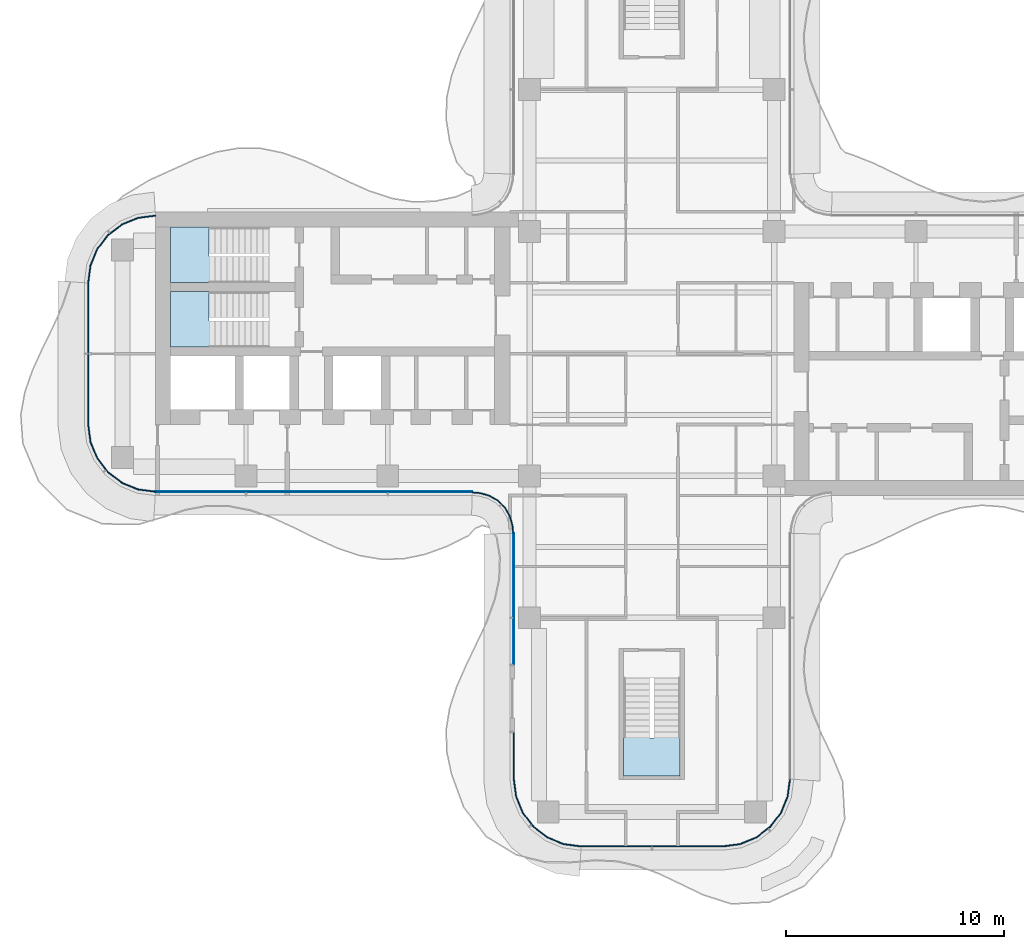
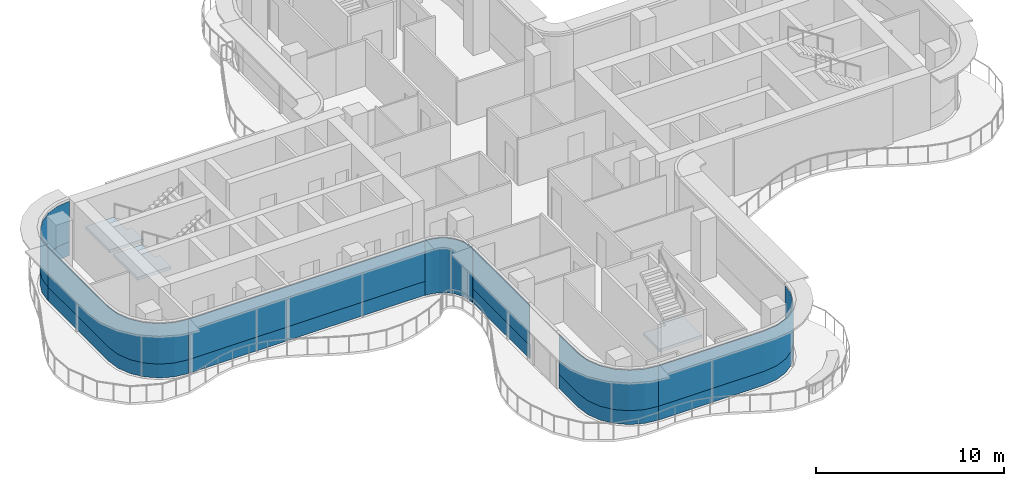
# One storey, part 8 of 16: 13 plates, 3 slabs, 10 elements without a shape of their own.
"""IFC4 building model written with IfcOpenShell, lengths in metres."""

from ifc_helpers import new_model, si_unit, direction, frame, origin, place, context, subcontext, project, spatial, polyline, outline, extrude, source, transform, mapped, material, layer, layer_set, type_object, element, aggregate, save


model = new_model("IFC4")

# Units and contexts
model_context = context("Model", 3, precision=1e-05, world=origin(), true_north=direction((0.0, 1.0)))
body_context = subcontext(model_context, "Body", "Model", "MODEL_VIEW")
ifc_project = project(units=[si_unit("LENGTHUNIT", "METRE"), si_unit("AREAUNIT", "SQUARE_METRE"), si_unit("VOLUMEUNIT", "CUBIC_METRE"), si_unit("PLANEANGLEUNIT", "RADIAN"), si_unit("MASSUNIT", "GRAM", prefix="KILO")], contexts=[model_context])

# Site, building, storey
site_placement = place(None, origin())
site = spatial("IfcSite", under=ifc_project, at=site_placement, CompositionType="ELEMENT")
building_placement = place(site_placement, origin())
building = spatial("IfcBuilding", under=site, at=building_placement, Name="Trellis Farm Tower", CompositionType="ELEMENT")
storey_placement = place(building_placement, frame((0.0, 0.0, 302.800048828125)))
storey = spatial("IfcBuildingStorey", under=building, at=storey_placement, Name="L68", CompositionType="ELEMENT", Elevation=302.800048828125)

# Stair, slab
ifc_material_1 = material(Name="Concrete C50/60", Category="concrete")
stair_type = type_object("IfcStairType", Name="CORE EXIT STAIR 22 RISERS 177 MM", PredefinedType="HALF_TURN_STAIR", material=ifc_material_1)
placement_1 = place(storey_placement, origin())
stair_1 = element("IfcStair", 1, at=placement_1, inside=storey, type_object=stair_type, Name="Exit stair S", PredefinedType="HALF_TURN_STAIR")
ifc_layer_1 = layer(ifc_material_1, 0.18994140625)
ifc_layer_set_1 = layer_set([ifc_layer_1], Name="CORE STAIR LANDING 190 CONCRETE C50/60")
slab_type = type_object("IfcSlabType", Name="CORE STAIR LANDING 190 CONCRETE C50/60", PredefinedType="LANDING", material=ifc_layer_set_1)
shared_shape_1 = source(origin(), body_context, "Body", "SweptSolid", [
    extrude(outline(polyline([(1.300048828125, -19.35009765625), (-1.300048828125, -19.35009765625), (-1.300048828125, -17.60009765625), (-1.300048828125, -17.590087890625), (-0.10009765625, -17.590087890625), (-0.10009765625, -17.60009765625), (0.10009765625, -17.60009765625), (0.10009765625, -17.27197265625), (1.300048828125, -17.27197265625), (1.300048828125, -17.60009765625), (1.300048828125, -19.35009765625)])), origin(), (0.0, 0.0, 1.0), 0.18994140625),
])
placement_2 = place(storey_placement, frame((0.0, 0.0, 1.760009765625)))
slab_1 = element("IfcSlab", 2, at=placement_2, type_object=slab_type, Name="STS landing 1", PredefinedType="LANDING", context=body_context, shape_type="MappedRepresentation", body=[
    mapped(shared_shape_1, transform((0.0, 0.0, 0.0))),
])
aggregate(stair_1, [slab_1])

stair_2 = element("IfcStair", 3, at=placement_1, inside=storey, type_object=stair_type, Name="Exit stair W1", PredefinedType="HALF_TURN_STAIR")
shared_shape_2 = source(origin(), body_context, "Body", "SweptSolid", [
    extrude(outline(polyline([(-19.971923828125, 4.449951171875), (-19.971923828125, 3.25), (-20.300048828125, 3.25), (-22.050048828125, 3.25), (-22.050048828125, 5.800048828125), (-20.300048828125, 5.800048828125), (-20.2900390625, 5.800048828125), (-20.2900390625, 4.60009765625), (-20.300048828125, 4.60009765625), (-20.300048828125, 4.449951171875), (-19.971923828125, 4.449951171875)])), origin(), (0.0, 0.0, 1.0), 0.18994140625),
])
slab_2 = element("IfcSlab", 4, at=placement_2, type_object=slab_type, Name="STW1 landing 1", PredefinedType="LANDING", context=body_context, shape_type="MappedRepresentation", body=[
    mapped(shared_shape_2, transform((0.0, 0.0, 0.0))),
])
aggregate(stair_2, [slab_2])

stair_3 = element("IfcStair", 5, at=placement_1, inside=storey, type_object=stair_type, Name="Exit stair W2", PredefinedType="HALF_TURN_STAIR")
shared_shape_3 = source(origin(), body_context, "Body", "SweptSolid", [
    extrude(outline(polyline([(-19.971923828125, 1.5), (-19.971923828125, 0.300048828125), (-20.300048828125, 0.300048828125), (-22.050048828125, 0.300048828125), (-22.050048828125, 2.85009765625), (-20.300048828125, 2.85009765625), (-20.2900390625, 2.85009765625), (-20.2900390625, 1.64990234375), (-20.300048828125, 1.64990234375), (-20.300048828125, 1.5), (-19.971923828125, 1.5)])), origin(), (0.0, 0.0, 1.0), 0.18994140625),
])
slab_3 = element("IfcSlab", 6, at=placement_2, type_object=slab_type, Name="STW2 landing 1", PredefinedType="LANDING", context=body_context, shape_type="MappedRepresentation", body=[
    mapped(shared_shape_3, transform((0.0, 0.0, 0.0))),
])
aggregate(stair_3, [slab_3])

# Curtain wall, plate
ifc_material_2 = material(Name="Aluminium and glass curtain wall", Category="aluminium")
ifc_layer_2 = layer(ifc_material_2, 0.166015625)
ifc_layer_set_2 = layer_set([ifc_layer_2], Name="WINTER GARDEN CURTAIN WALL CW3")
curtain_wall_type_1 = type_object("IfcCurtainWallType", Name="WINTER GARDEN CURTAIN WALL CW3", PredefinedType="NOTDEFINED", material=ifc_layer_set_2)
curtain_wall_1 = element("IfcCurtainWall", 7, at=placement_1, inside=storey, type_object=curtain_wall_type_1, Name="CW3 001", PredefinedType="NOTDEFINED")
ifc_material_3 = material(Name="Clear insulated glass", Category="glass")
ifc_layer_3 = layer(ifc_material_3, 0.0458984375)
ifc_layer_set_3 = layer_set([ifc_layer_3], Name="CW3 GLASS PANEL 46")
plate_type_1 = type_object("IfcPlateType", Name="CW3 GLASS PANEL 46", PredefinedType="CURTAIN_PANEL", material=ifc_layer_set_3)
shared_shape_4 = source(origin(), body_context, "Body", "SweptSolid", [
    extrude(outline(polyline([(-8.2275390625, -6.3798828125), (-8.0078125, -6.394287109375), (-7.89208984375, -6.40966796875), (-7.462158203125, -6.52490234375), (-7.070556640625, -6.7509765625), (-6.7509765625, -7.070556640625), (-6.52490234375, -7.462158203125), (-6.40966796875, -7.89208984375), (-6.394287109375, -8.0078125), (-6.3798828125, -8.2275390625), (-6.333984375, -8.22607421875), (-6.3486328125, -8.003173828125), (-6.364501953125, -7.883056640625), (-6.48193359375, -7.4443359375), (-6.714111328125, -7.04248046875), (-7.04248046875, -6.714111328125), (-7.4443359375, -6.48193359375), (-7.883056640625, -6.364501953125), (-8.003173828125, -6.3486328125), (-8.22607421875, -6.333984375), (-8.2275390625, -6.3798828125)])), origin(), (0.0, 0.0, 1.0), 3.550048828125),
])
plate_1 = element("IfcPlate", 8, at=placement_1, type_object=plate_type_1, Name="PL3 001", PredefinedType="CURTAIN_PANEL", context=body_context, shape_type="MappedRepresentation", body=[
    mapped(shared_shape_4, transform((0.0, 0.0, 0.0))),
])
aggregate(curtain_wall_1, [plate_1])

# Curtain wall, plates
ifc_layer_4 = layer(ifc_material_2, 0.18994140625)
ifc_layer_set_4 = layer_set([ifc_layer_4], Name="RIBBON CURTAIN WALL CW1")
curtain_wall_type_2 = type_object("IfcCurtainWallType", Name="RIBBON CURTAIN WALL CW1", PredefinedType="NOTDEFINED", material=ifc_layer_set_4)
curtain_wall_2 = element("IfcCurtainWall", 9, at=placement_1, inside=storey, type_object=curtain_wall_type_2, Name="CW1 004", PredefinedType="NOTDEFINED")
ifc_layer_5 = layer(ifc_material_3, 0.0400390625)
ifc_layer_set_5 = layer_set([ifc_layer_5], Name="CW1 GLASS PANEL 40")
plate_type_2 = type_object("IfcPlateType", Name="CW1 GLASS PANEL 40", PredefinedType="CURTAIN_PANEL", material=ifc_layer_set_5)
shared_shape_5 = source(origin(), body_context, "Body", "SweptSolid", [
    extrude(outline(polyline([(-3.240234375, -22.60009765625), (3.240234375, -22.60009765625), (4.052001953125, -22.4931640625), (4.79931640625, -22.18359375), (5.441162109375, -21.691162109375), (5.93359375, -21.04931640625), (6.2431640625, -20.302001953125), (6.35009765625, -19.490234375), (6.31005859375, -19.487548828125), (6.2041015625, -20.29150390625), (5.898681640625, -21.029296875), (5.41259765625, -21.66259765625), (4.779296875, -22.148681640625), (4.04150390625, -22.4541015625), (3.237548828125, -22.56005859375), (-3.237548828125, -22.56005859375), (-3.240234375, -22.60009765625)])), origin(), (0.0, 0.0, 1.0), 2.6201171875),
])
placement_3 = place(storey_placement, frame((0.0, 0.0, 0.89990234375)))
plate_2 = element("IfcPlate", 10, at=placement_3, type_object=plate_type_2, Name="PL1 004", PredefinedType="CURTAIN_PANEL", context=body_context, shape_type="MappedRepresentation", body=[
    mapped(shared_shape_5, transform((0.0, 0.0, 0.0))),
])
ifc_material_4 = material(Name="Sandstone faced insulated panel", Category="masonry")
ifc_layer_6 = layer(ifc_material_4, 0.050048828125)
ifc_layer_set_6 = layer_set([ifc_layer_6], Name="CW1 STONE SPANDREL PANEL 50")
plate_type_3 = type_object("IfcPlateType", Name="CW1 STONE SPANDREL PANEL 50", PredefinedType="CURTAIN_PANEL", material=ifc_layer_set_6)
shared_shape_6 = source(origin(), body_context, "Body", "SweptSolid", [
    extrude(outline(polyline([(-3.240234375, -22.60009765625), (3.240234375, -22.60009765625), (4.052001953125, -22.4931640625), (4.79931640625, -22.18359375), (5.441162109375, -21.691162109375), (5.93359375, -21.04931640625), (6.2431640625, -20.302001953125), (6.35009765625, -19.490234375), (6.300048828125, -19.48681640625), (6.1943359375, -20.2890625), (5.889892578125, -21.024169921875), (5.405517578125, -21.655517578125), (4.774169921875, -22.139892578125), (4.0390625, -22.4443359375), (3.23681640625, -22.550048828125), (-3.23681640625, -22.550048828125), (-3.240234375, -22.60009765625)])), origin(), (0.0, 0.0, 1.0), 0.89990234375),
])
plate_3 = element("IfcPlate", 11, at=placement_1, type_object=plate_type_3, Name="PS1 004", PredefinedType="CURTAIN_PANEL", context=body_context, shape_type="MappedRepresentation", body=[
    mapped(shared_shape_6, transform((0.0, 0.0, 0.0))),
])
aggregate(curtain_wall_2, [plate_2, plate_3])

# Curtain wall, plate
curtain_wall_3 = element("IfcCurtainWall", 12, at=placement_1, inside=storey, type_object=curtain_wall_type_2, Name="CW1 002", PredefinedType="NOTDEFINED")
shared_shape_7 = source(origin(), body_context, "Body", "SweptSolid", [
    extrude(outline(polyline([(-6.35009765625, -8.2265625), (-6.35009765625, -14.239990234375), (-6.300048828125, -14.239990234375), (-6.300048828125, -8.224853515625), (-6.35009765625, -8.2265625)])), origin(), (0.0, 0.0, 1.0), 0.89990234375),
])
plate_4 = element("IfcPlate", 13, at=placement_1, type_object=plate_type_3, Name="PS1 002", PredefinedType="CURTAIN_PANEL", context=body_context, shape_type="MappedRepresentation", body=[
    mapped(shared_shape_7, transform((0.0, 0.0, 0.0))),
])

curtain_wall_4 = element("IfcCurtainWall", 14, at=placement_1, inside=storey, type_object=curtain_wall_type_2, Name="CW1 003", PredefinedType="NOTDEFINED")
shared_shape_8 = source(origin(), body_context, "Body", "SweptSolid", [
    extrude(outline(polyline([(-6.35009765625, -17.360107421875), (-6.35009765625, -19.490234375), (-6.2431640625, -20.302001953125), (-5.93359375, -21.04931640625), (-5.441162109375, -21.691162109375), (-4.79931640625, -22.18359375), (-4.052001953125, -22.4931640625), (-3.240234375, -22.60009765625), (-3.23681640625, -22.550048828125), (-4.0390625, -22.4443359375), (-4.774169921875, -22.139892578125), (-5.405517578125, -21.655517578125), (-5.889892578125, -21.024169921875), (-6.1943359375, -20.2890625), (-6.300048828125, -19.48681640625), (-6.300048828125, -17.360107421875), (-6.35009765625, -17.360107421875)])), origin(), (0.0, 0.0, 1.0), 0.89990234375),
])
plate_5 = element("IfcPlate", 15, at=placement_1, type_object=plate_type_3, Name="PS1 003", PredefinedType="CURTAIN_PANEL", context=body_context, shape_type="MappedRepresentation", body=[
    mapped(shared_shape_8, transform((0.0, 0.0, 0.0))),
])

# Curtain wall, plates
curtain_wall_5 = element("IfcCurtainWall", 16, at=placement_1, inside=storey, type_object=curtain_wall_type_2, Name="CW1 001", PredefinedType="NOTDEFINED")
shared_shape_9 = source(origin(), body_context, "Body", "SweptSolid", [
    extrude(outline(polyline([(-22.740234375, -6.35009765625), (-8.2265625, -6.35009765625), (-8.22509765625, -6.31005859375), (-22.737548828125, -6.31005859375), (-22.740234375, -6.35009765625)])), origin(), (0.0, 0.0, 1.0), 2.6201171875),
])
plate_6 = element("IfcPlate", 17, at=placement_3, type_object=plate_type_2, Name="PL1 001", PredefinedType="CURTAIN_PANEL", context=body_context, shape_type="MappedRepresentation", body=[
    mapped(shared_shape_9, transform((0.0, 0.0, 0.0))),
])
shared_shape_10 = source(origin(), body_context, "Body", "SweptSolid", [
    extrude(outline(polyline([(-22.740234375, -6.35009765625), (-8.2265625, -6.35009765625), (-8.224853515625, -6.300048828125), (-22.73681640625, -6.300048828125), (-22.740234375, -6.35009765625)])), origin(), (0.0, 0.0, 1.0), 0.89990234375),
])
plate_7 = element("IfcPlate", 18, at=placement_1, type_object=plate_type_3, Name="PS1 001", PredefinedType="CURTAIN_PANEL", context=body_context, shape_type="MappedRepresentation", body=[
    mapped(shared_shape_10, transform((0.0, 0.0, 0.0))),
])
aggregate(curtain_wall_5, [plate_6, plate_7])

curtain_wall_6 = element("IfcCurtainWall", 19, at=placement_1, inside=storey, type_object=curtain_wall_type_2, Name="CW1 013", PredefinedType="NOTDEFINED")
shared_shape_11 = source(origin(), body_context, "Body", "SweptSolid", [
    extrude(outline(polyline([(-22.740234375, 6.35009765625), (-23.552001953125, 6.2431640625), (-24.29931640625, 5.93359375), (-24.941162109375, 5.441162109375), (-25.43359375, 4.79931640625), (-25.7431640625, 4.052001953125), (-25.85009765625, 3.240234375), (-25.81005859375, 3.237548828125), (-25.7041015625, 4.04150390625), (-25.398681640625, 4.779296875), (-24.91259765625, 5.41259765625), (-24.279296875, 5.898681640625), (-23.54150390625, 6.2041015625), (-22.737548828125, 6.31005859375), (-22.740234375, 6.35009765625)])), origin(), (0.0, 0.0, 1.0), 2.6201171875),
])
plate_8 = element("IfcPlate", 20, at=placement_3, type_object=plate_type_2, Name="PL1 013", PredefinedType="CURTAIN_PANEL", context=body_context, shape_type="MappedRepresentation", body=[
    mapped(shared_shape_11, transform((0.0, 0.0, 0.0))),
])
shared_shape_12 = source(origin(), body_context, "Body", "SweptSolid", [
    extrude(outline(polyline([(-22.740234375, 6.35009765625), (-23.552001953125, 6.2431640625), (-24.29931640625, 5.93359375), (-24.941162109375, 5.441162109375), (-25.43359375, 4.79931640625), (-25.7431640625, 4.052001953125), (-25.85009765625, 3.240234375), (-25.800048828125, 3.23681640625), (-25.6943359375, 4.0390625), (-25.389892578125, 4.774169921875), (-24.905517578125, 5.405517578125), (-24.274169921875, 5.889892578125), (-23.5390625, 6.1943359375), (-22.73681640625, 6.300048828125), (-22.740234375, 6.35009765625)])), origin(), (0.0, 0.0, 1.0), 0.89990234375),
])
plate_9 = element("IfcPlate", 21, at=placement_1, type_object=plate_type_3, Name="PS1 013", PredefinedType="CURTAIN_PANEL", context=body_context, shape_type="MappedRepresentation", body=[
    mapped(shared_shape_12, transform((0.0, 0.0, 0.0))),
])
aggregate(curtain_wall_6, [plate_8, plate_9])

curtain_wall_7 = element("IfcCurtainWall", 22, at=placement_1, inside=storey, type_object=curtain_wall_type_2, Name="CW1 014", PredefinedType="NOTDEFINED")
shared_shape_13 = source(origin(), body_context, "Body", "SweptSolid", [
    extrude(outline(polyline([(-25.85009765625, 3.240234375), (-25.85009765625, -3.240234375), (-25.7431640625, -4.052001953125), (-25.43359375, -4.79931640625), (-24.941162109375, -5.441162109375), (-24.29931640625, -5.93359375), (-23.552001953125, -6.2431640625), (-22.740234375, -6.35009765625), (-22.737548828125, -6.31005859375), (-23.54150390625, -6.2041015625), (-24.279296875, -5.898681640625), (-24.91259765625, -5.41259765625), (-25.398681640625, -4.779296875), (-25.7041015625, -4.04150390625), (-25.81005859375, -3.237548828125), (-25.81005859375, 3.237548828125), (-25.85009765625, 3.240234375)])), origin(), (0.0, 0.0, 1.0), 2.6201171875),
])
plate_10 = element("IfcPlate", 23, at=placement_3, type_object=plate_type_2, Name="PL1 014", PredefinedType="CURTAIN_PANEL", context=body_context, shape_type="MappedRepresentation", body=[
    mapped(shared_shape_13, transform((0.0, 0.0, 0.0))),
])
shared_shape_14 = source(origin(), body_context, "Body", "SweptSolid", [
    extrude(outline(polyline([(-25.85009765625, 3.240234375), (-25.85009765625, -3.240234375), (-25.7431640625, -4.052001953125), (-25.43359375, -4.79931640625), (-24.941162109375, -5.441162109375), (-24.29931640625, -5.93359375), (-23.552001953125, -6.2431640625), (-22.740234375, -6.35009765625), (-22.73681640625, -6.300048828125), (-23.5390625, -6.1943359375), (-24.274169921875, -5.889892578125), (-24.905517578125, -5.405517578125), (-25.389892578125, -4.774169921875), (-25.6943359375, -4.0390625), (-25.800048828125, -3.23681640625), (-25.800048828125, 3.23681640625), (-25.85009765625, 3.240234375)])), origin(), (0.0, 0.0, 1.0), 0.89990234375),
])
plate_11 = element("IfcPlate", 24, at=placement_1, type_object=plate_type_3, Name="PS1 014", PredefinedType="CURTAIN_PANEL", context=body_context, shape_type="MappedRepresentation", body=[
    mapped(shared_shape_14, transform((0.0, 0.0, 0.0))),
])
aggregate(curtain_wall_7, [plate_10, plate_11])

# Plate
shared_shape_15 = source(origin(), body_context, "Body", "SweptSolid", [
    extrude(outline(polyline([(-6.35009765625, -8.2265625), (-6.35009765625, -14.239990234375), (-6.31005859375, -14.239990234375), (-6.31005859375, -8.22509765625), (-6.35009765625, -8.2265625)])), origin(), (0.0, 0.0, 1.0), 2.6201171875),
])
plate_12 = element("IfcPlate", 25, at=placement_3, type_object=plate_type_2, Name="PL1 002", PredefinedType="CURTAIN_PANEL", context=body_context, shape_type="MappedRepresentation", body=[
    mapped(shared_shape_15, transform((0.0, 0.0, 0.0))),
])

aggregate(curtain_wall_3, [plate_12, plate_4])

shared_shape_16 = source(origin(), body_context, "Body", "SweptSolid", [
    extrude(outline(polyline([(-6.35009765625, -17.360107421875), (-6.35009765625, -19.490234375), (-6.2431640625, -20.302001953125), (-5.93359375, -21.04931640625), (-5.441162109375, -21.691162109375), (-4.79931640625, -22.18359375), (-4.052001953125, -22.4931640625), (-3.240234375, -22.60009765625), (-3.237548828125, -22.56005859375), (-4.04150390625, -22.4541015625), (-4.779296875, -22.148681640625), (-5.41259765625, -21.66259765625), (-5.898681640625, -21.029296875), (-6.2041015625, -20.29150390625), (-6.31005859375, -19.487548828125), (-6.31005859375, -17.360107421875), (-6.35009765625, -17.360107421875)])), origin(), (0.0, 0.0, 1.0), 2.6201171875),
])
plate_13 = element("IfcPlate", 26, at=placement_3, type_object=plate_type_2, Name="PL1 003", PredefinedType="CURTAIN_PANEL", context=body_context, shape_type="MappedRepresentation", body=[
    mapped(shared_shape_16, transform((0.0, 0.0, 0.0))),
])

aggregate(curtain_wall_4, [plate_13, plate_5])

save(model, "model.ifc")
